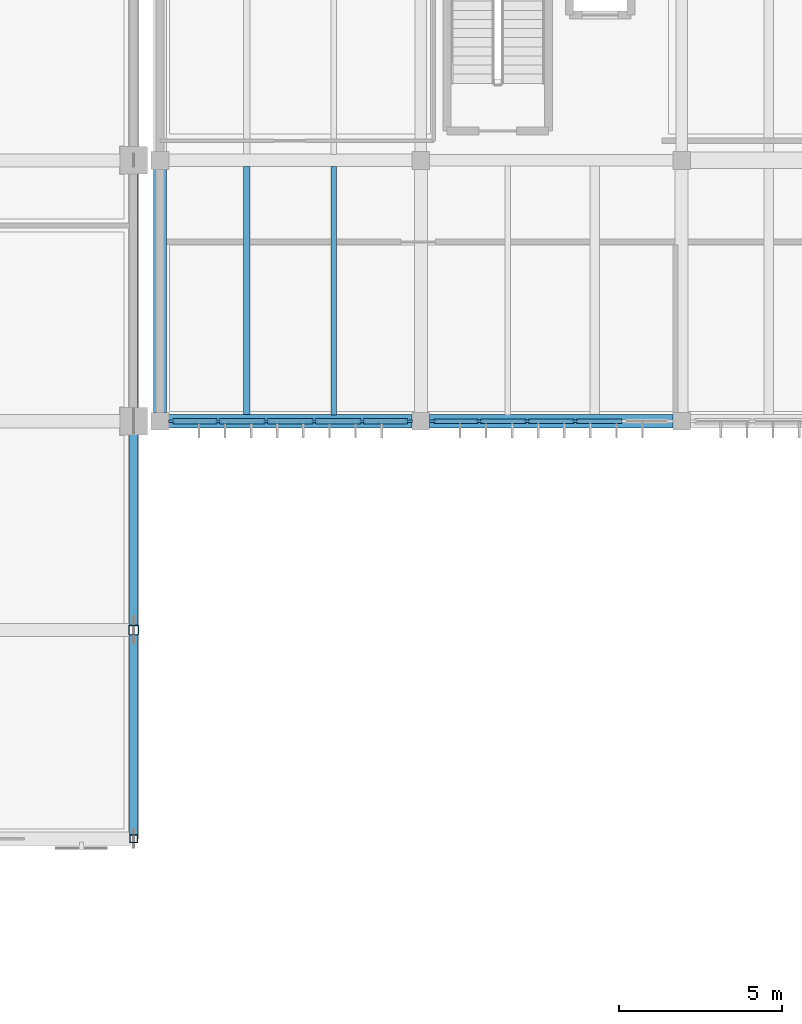
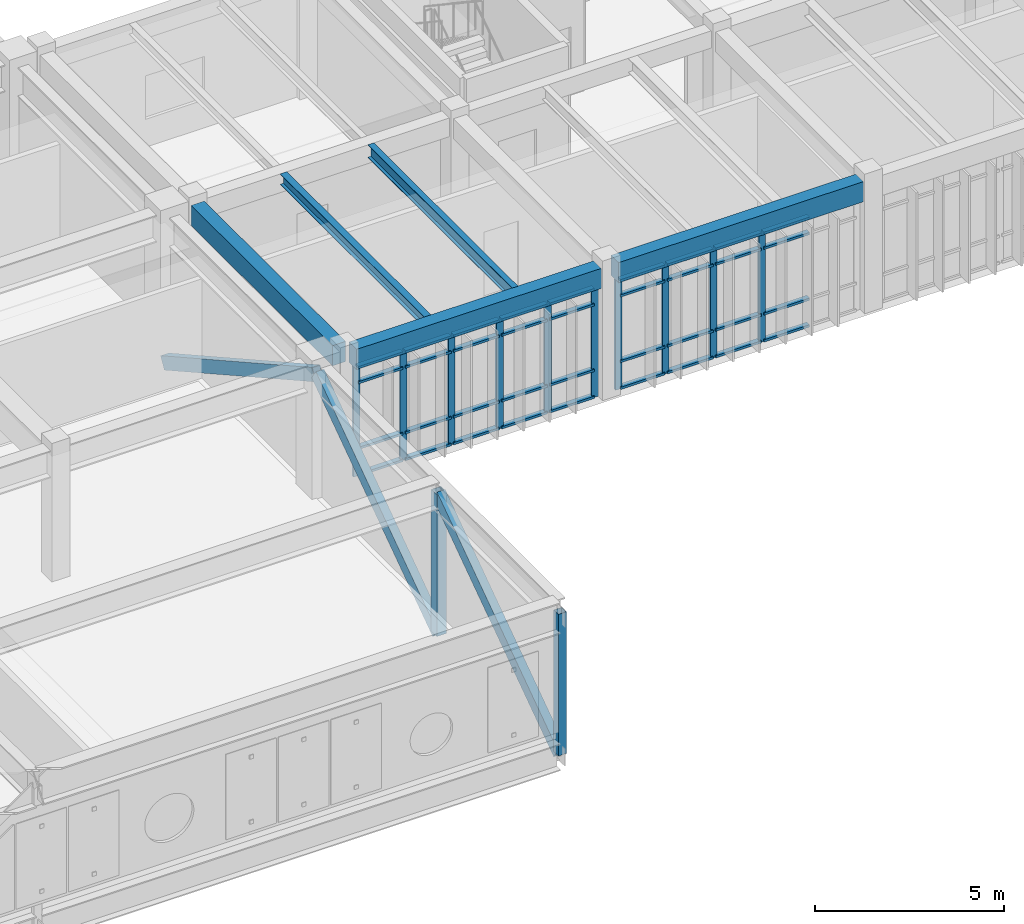
# One storey, part 14 of 79: 51 members, 5 beams, 2 elements without a shape of their own.
"""IFC4 building model written with IfcOpenShell, lengths in metres."""

import ifcopenshell
import ifcopenshell.guid

model = None  # the IFC model being written
_history = None  # IfcOwnerHistory: only IFC2X3 demands one
_inside = {}  # id of a spatial element -> (the spatial element, [elements in it])
_under = {}  # id of a project, library or spatial element -> (it, [spatial elements below it])
_declared = {}  # id of a project -> (the project, [libraries it declares])
_typed = {}  # id of a type object -> (the type object, [elements of that type])
_made_of = {}  # id of a material, layer set ... -> (it, [elements and type objects made of it])


def new_model(schema):
    """Start an empty IFC model of exactly this schema.

    Asked for "IFC4X3", IfcOpenShell would pick the latest addendum, in which some entities
    have other attributes; the version numbers below select the first issue.
    IFC2X3 requires an IfcOwnerHistory on every rooted entity: one is made here for all.
    """
    global model, _history
    if schema == "IFC4X3":
        model = ifcopenshell.file(schema_version=(4, 3, 0, 0))
    else:
        model = ifcopenshell.file(schema=schema)
    _inside.clear()
    _under.clear()
    _declared.clear()
    _typed.clear()
    _made_of.clear()
    _history = None
    if model.schema == "IFC2X3":
        org = make("IfcOrganization", Name="unknown")
        user = make(
            "IfcPersonAndOrganization",
            ThePerson=make("IfcPerson", FamilyName="unknown"),
            TheOrganization=org,
        )
        app = make(
            "IfcApplication",
            ApplicationDeveloper=org,
            Version="unknown",
            ApplicationFullName="unknown",
            ApplicationIdentifier="unknown",
        )
        _history = make(
            "IfcOwnerHistory",
            OwningUser=user,
            OwningApplication=app,
            ChangeAction="ADDED",
            CreationDate=0,
        )
    return model


def make(cls, **values):
    """One entity of the class cls with the attributes given. An attribute that is None is left unset."""
    return model.create_entity(
        cls, **{name: value for name, value in values.items() if value is not None}
    )


def rooted(cls, **values):
    """An entity with a GlobalId (a new one), such as an element, a storey or a relation."""
    return make(cls, GlobalId=ifcopenshell.guid.new(), OwnerHistory=_history, **values)


def si_unit(unit_type, name, prefix=None):
    """IfcSIUnit, for example si_unit("LENGTHUNIT", "METRE", prefix="MILLI")."""
    return make("IfcSIUnit", UnitType=unit_type, Prefix=prefix, Name=name)


def assignment(units):
    """IfcUnitAssignment: the units of a project."""
    return None if units is None else make("IfcUnitAssignment", Units=units)


def point(xyz):
    """IfcCartesianPoint."""
    return None if xyz is None else make("IfcCartesianPoint", Coordinates=xyz)


def direction(xyz):
    """IfcDirection."""
    return None if xyz is None else make("IfcDirection", DirectionRatios=xyz)


def frame(location, z_axis=None, x_axis=None):
    """IfcAxis2Placement3D, a coordinate frame: its origin and axes. An axis left out is left unset."""
    return make(
        "IfcAxis2Placement3D",
        Location=point(location),
        Axis=direction(z_axis),
        RefDirection=direction(x_axis),
    )


def frame_2d(location, x_axis=None):
    """IfcAxis2Placement2D, a coordinate frame in the plane: its origin and x axis."""
    return make(
        "IfcAxis2Placement2D", Location=point(location), RefDirection=direction(x_axis)
    )


def origin():
    """The frame at (0, 0, 0) with its axes left unset."""
    return frame((0.0, 0.0, 0.0))


def origin_2d():
    """The frame at (0, 0) in the plane with its x axis left unset."""
    return frame_2d((0.0, 0.0))


def place(relative_to, where):
    """IfcLocalPlacement: puts the frame where relative to a parent placement (None: the world)."""
    return make(
        "IfcLocalPlacement", PlacementRelTo=relative_to, RelativePlacement=where
    )


def context(
    kind, dimensions, precision=None, world=None, true_north=None, identifier=None
):
    """IfcGeometricRepresentationContext, for example the 3D "Model" context."""
    return make(
        "IfcGeometricRepresentationContext",
        ContextIdentifier=identifier,
        ContextType=kind,
        CoordinateSpaceDimension=dimensions,
        Precision=precision,
        WorldCoordinateSystem=world,
        TrueNorth=true_north,
    )


def subcontext(parent, identifier, kind, view, scale=None):
    """IfcGeometricRepresentationSubContext, for example "Body" below "Model"."""
    return make(
        "IfcGeometricRepresentationSubContext",
        ContextIdentifier=identifier,
        ContextType=kind,
        ParentContext=parent,
        TargetScale=scale,
        TargetView=view,
    )


def project(units=None, contexts=None):
    """IfcProject with its units and contexts."""
    return rooted(
        "IfcProject",
        Name="project",
        RepresentationContexts=contexts,
        UnitsInContext=assignment(units),
    )


def spatial(cls, under=None, at=None, **own):
    """A site, building, storey or space (cls), placed at a placement, below another one or the project."""
    s = rooted(cls, ObjectPlacement=at, **own)
    if under is not None:
        _under.setdefault(under.id(), (under, []))[1].append(s)
    return s


def profile(cls, at=None, kind="AREA", **sizes):
    """A parametric profile (cls). Its sizes go by their IFC names, for example OverallWidth=200.0."""
    return make(cls, ProfileType=kind, Position=at, **sizes)


def rectangle(**sizes):
    """IfcRectangleProfileDef."""
    return profile("IfcRectangleProfileDef", **sizes)


def hollow_rectangle(**sizes):
    """IfcRectangleHollowProfileDef."""
    return profile("IfcRectangleHollowProfileDef", **sizes)


def i_section(**sizes):
    """IfcIShapeProfileDef."""
    return profile("IfcIShapeProfileDef", **sizes)


def extrude(swept, where, along, depth):
    """IfcExtrudedAreaSolid: the profile swept, set in the frame where, extruded along a direction by depth."""
    return make(
        "IfcExtrudedAreaSolid",
        SweptArea=swept,
        Position=where,
        ExtrudedDirection=direction(along),
        Depth=depth,
    )


def shape(context_of_items, identifier, shape_type, items):
    """IfcShapeRepresentation: the items that make up one representation, for example the "Body"."""
    return make(
        "IfcShapeRepresentation",
        ContextOfItems=context_of_items,
        RepresentationIdentifier=identifier,
        RepresentationType=shape_type,
        Items=items,
    )


def material(Name=None, Category=None):
    """IfcMaterial."""
    return make("IfcMaterial", Name=Name, Category=Category)


def material_profile(
    of_material, cross_section, Name=None, Category=None, Priority=None
):
    """IfcMaterialProfile: a cross section and its material."""
    return make(
        "IfcMaterialProfile",
        Name=Name,
        Material=of_material,
        Profile=cross_section,
        Priority=Priority,
        Category=Category,
    )


def profile_set(profiles, Name=None, composite=None):
    """IfcMaterialProfileSet."""
    return make(
        "IfcMaterialProfileSet",
        Name=Name,
        MaterialProfiles=profiles,
        CompositeProfile=composite,
    )


def made_of(thing, what):
    """Note that an element or type object is made of a material, layer set ...; save() writes the relation."""
    if what is not None:
        _made_of.setdefault(what.id(), (what, []))[1].append(thing)
    return thing


def type_object(cls, material=None, **own):
    """A type object (cls), such as IfcWallType, which elements share."""
    return made_of(rooted(cls, **own), material)


def element(
    cls,
    number,
    at=None,
    inside=None,
    cuts=None,
    type_object=None,
    material=None,
    context=None,
    identifier="Body",
    shape_type=None,
    held_by="IfcProductDefinitionShape",
    body=None,
    shapes=None,
    **own,
):
    """One element of the class cls, such as IfcWall. Its Tag is "e" and its number.

    at: its placement. inside: the storey or other place that contains it. cuts: it is an
    opening in that element (IfcRelVoidsElement). A single representation is given by context,
    identifier, shape_type and body (its items); several are given by shapes. held_by: the class
    of the entity that holds the representations. save() writes the other relations.
    """
    e = rooted(cls, Tag="e%d" % number, ObjectPlacement=at, **own)
    if body is not None:
        shapes = [shape(context, identifier, shape_type, body)]
    if shapes is not None:
        e.Representation = make(held_by, Representations=shapes)
    if inside is not None:
        _inside.setdefault(inside.id(), (inside, []))[1].append(e)
    if cuts is not None:
        rooted(
            "IfcRelVoidsElement", RelatingBuildingElement=cuts, RelatedOpeningElement=e
        )
    if type_object is not None:
        _typed.setdefault(type_object.id(), (type_object, []))[1].append(e)
    return made_of(e, material)


def aggregate(whole, parts):
    """IfcRelAggregates: a whole, such as a stair, and the parts it consists of."""
    return rooted("IfcRelAggregates", RelatingObject=whole, RelatedObjects=parts)


def save(model, path):
    """Write the relations noted so far, then the file.

    IfcRelAggregates (storeys below a building ...), IfcRelContainedInSpatialStructure (elements
    in a storey), IfcRelDefinesByType, IfcRelAssociatesMaterial and IfcRelDeclares: one each for
    every whole, place, type object, material and project.
    """
    for whole, parts in _under.values():
        aggregate(whole, parts)
    for where, things in _inside.values():
        rooted(
            "IfcRelContainedInSpatialStructure",
            RelatedElements=things,
            RelatingStructure=where,
        )
    for kind, things in _typed.values():
        rooted("IfcRelDefinesByType", RelatedObjects=things, RelatingType=kind)
    for what, things in _made_of.values():
        rooted("IfcRelAssociatesMaterial", RelatedObjects=things, RelatingMaterial=what)
    for by, libraries in _declared.values():
        rooted("IfcRelDeclares", RelatingContext=by, RelatedDefinitions=libraries)
    model.write(path)


model = new_model("IFC4")

# Units and contexts
model_context = context("Model", 3, precision=1e-05, world=origin(), true_north=direction((0.0, 1.0)))
body_context = subcontext(model_context, "Body", "Model", "MODEL_VIEW")
ifc_project = project(units=[si_unit("LENGTHUNIT", "METRE"), si_unit("AREAUNIT", "SQUARE_METRE"), si_unit("VOLUMEUNIT", "CUBIC_METRE"), si_unit("PLANEANGLEUNIT", "RADIAN"), si_unit("MASSUNIT", "GRAM", prefix="KILO")], contexts=[model_context])

# Site, building, storey
site_placement = place(None, origin())
site = spatial("IfcSite", under=ifc_project, at=site_placement, CompositionType="ELEMENT")
building_placement = place(site_placement, origin())
building = spatial("IfcBuilding", under=site, at=building_placement, Name="Tlaxcora Railside Police Headquarters", CompositionType="ELEMENT")
storey_placement = place(building_placement, frame((0.0, 0.0, 9.0)))
storey = spatial("IfcBuildingStorey", under=building, at=storey_placement, Name="L02", CompositionType="ELEMENT", Elevation=9.0)

# Curtain wall, members
ifc_material_1 = material(Name="Thermally broken low-E insulated glazing", Category="glass")
curtain_wall_type_1 = type_object("IfcCurtainWallType", Name="Unitised Curtain Wall Assembly CW-38", PredefinedType="NOTDEFINED", material=ifc_material_1)
curtain_wall_1_placement = place(storey_placement, origin())
curtain_wall_1 = element("IfcCurtainWall", 1, at=curtain_wall_1_placement, inside=storey, type_object=curtain_wall_type_1, Name="V7 L02 curtain wall 177", PredefinedType="NOTDEFINED")
ifc_material_2 = material(Name="Anodised aluminium framing", Category="aluminium")
ifc_material_profile_1 = material_profile(ifc_material_2, rectangle(XDim=0.074951171875, YDim=0.205078125, at=origin_2d()), Name="AL75X205")
ifc_profile_set_1 = profile_set([ifc_material_profile_1], Name="Anodised aluminium framing")
member_type_1 = type_object("IfcMemberType", Name="Curtain Wall Mullion CW-32", PredefinedType="MULLION", material=ifc_profile_set_1)
member_1_placement = place(storey_placement, frame((103.16259765625, 36.0, 0.0), z_axis=(0.0, 0.0, 1.0), x_axis=(0.0, 1.0, 0.0)))
member_1 = element("IfcMember", 2, at=member_1_placement, type_object=member_type_1, Name="CW mullion 1", PredefinedType="MULLION", context=body_context, shape_type="SweptSolid", body=[
    extrude(rectangle(XDim=0.074951171875, YDim=0.205078125, at=origin_2d()), origin(), (0.0, 0.0, 1.0), 3.550048828125),
])
member_2_placement = place(storey_placement, frame((104.594970703125, 36.0, 0.0), z_axis=(0.0, 0.0, 1.0), x_axis=(0.0, 1.0, 0.0)))
member_2 = element("IfcMember", 3, at=member_2_placement, type_object=member_type_1, Name="CW mullion 2", PredefinedType="MULLION", context=body_context, shape_type="SweptSolid", body=[
    extrude(rectangle(XDim=0.074951171875, YDim=0.205078125, at=origin_2d()), origin(), (0.0, 0.0, 1.0), 3.550048828125),
])
member_3_placement = place(storey_placement, frame((106.06494140625, 36.0, 0.0), z_axis=(0.0, 0.0, 1.0), x_axis=(0.0, 1.0, 0.0)))
member_3 = element("IfcMember", 4, at=member_3_placement, type_object=member_type_1, Name="CW mullion 3", PredefinedType="MULLION", context=body_context, shape_type="SweptSolid", body=[
    extrude(rectangle(XDim=0.074951171875, YDim=0.205078125, at=origin_2d()), origin(), (0.0, 0.0, 1.0), 3.550048828125),
])
member_4_placement = place(storey_placement, frame((107.534912109375, 36.0, 0.0), z_axis=(0.0, 0.0, 1.0), x_axis=(0.0, 1.0, 0.0)))
member_4 = element("IfcMember", 5, at=member_4_placement, type_object=member_type_1, Name="CW mullion 4", PredefinedType="MULLION", context=body_context, shape_type="SweptSolid", body=[
    extrude(rectangle(XDim=0.074951171875, YDim=0.205078125, at=origin_2d()), origin(), (0.0, 0.0, 1.0), 3.550048828125),
])
member_5_placement = place(storey_placement, frame((109.0048828125, 36.0, 0.0), z_axis=(0.0, 0.0, 1.0), x_axis=(0.0, 1.0, 0.0)))
member_5 = element("IfcMember", 6, at=member_5_placement, type_object=member_type_1, Name="CW mullion 5", PredefinedType="MULLION", context=body_context, shape_type="SweptSolid", body=[
    extrude(rectangle(XDim=0.074951171875, YDim=0.205078125, at=origin_2d()), origin(), (0.0, 0.0, 1.0), 3.550048828125),
])
member_6_placement = place(storey_placement, frame((110.4375, 36.0, 0.0), z_axis=(0.0, 0.0, 1.0), x_axis=(0.0, 1.0, 0.0)))
member_6 = element("IfcMember", 7, at=member_6_placement, type_object=member_type_1, Name="CW mullion 6", PredefinedType="MULLION", context=body_context, shape_type="SweptSolid", body=[
    extrude(rectangle(XDim=0.074951171875, YDim=0.205078125, at=origin_2d()), origin(), (0.0, 0.0, 1.0), 3.550048828125),
])

curtain_wall_type_2 = type_object("IfcCurtainWallType", Name="Unitised Curtain Wall Assembly CW-15", PredefinedType="NOTDEFINED", material=ifc_material_1)
curtain_wall_2_placement = place(storey_placement, origin())
curtain_wall_2 = element("IfcCurtainWall", 8, at=curtain_wall_2_placement, inside=storey, type_object=curtain_wall_type_2, Name="V7 L02 curtain wall 178", PredefinedType="NOTDEFINED")
ifc_material_profile_2 = material_profile(ifc_material_2, rectangle(XDim=0.074951171875, YDim=0.199951171875, at=origin_2d()), Name="AL75X200")
ifc_profile_set_2 = profile_set([ifc_material_profile_2], Name="Anodised aluminium framing")
member_type_2 = type_object("IfcMemberType", Name="Curtain Wall Mullion CW-58", PredefinedType="MULLION", material=ifc_profile_set_2)
member_7_placement = place(storey_placement, frame((111.16259765625, 36.0, 0.0), z_axis=(0.0, 0.0, 1.0), x_axis=(0.0, 1.0, 0.0)))
member_7 = element("IfcMember", 9, at=member_7_placement, type_object=member_type_2, Name="CW mullion 1", PredefinedType="MULLION", context=body_context, shape_type="SweptSolid", body=[
    extrude(rectangle(XDim=0.074951171875, YDim=0.199951171875, at=origin_2d()), origin(), (0.0, 0.0, 1.0), 3.550048828125),
])
member_8_placement = place(storey_placement, frame((112.594970703125, 36.0, 0.0), z_axis=(0.0, 0.0, 1.0), x_axis=(0.0, 1.0, 0.0)))
member_8 = element("IfcMember", 10, at=member_8_placement, type_object=member_type_2, Name="CW mullion 2", PredefinedType="MULLION", context=body_context, shape_type="SweptSolid", body=[
    extrude(rectangle(XDim=0.074951171875, YDim=0.199951171875, at=origin_2d()), origin(), (0.0, 0.0, 1.0), 3.550048828125),
])
member_9_placement = place(storey_placement, frame((114.06494140625, 36.0, 0.0), z_axis=(0.0, 0.0, 1.0), x_axis=(0.0, 1.0, 0.0)))
member_9 = element("IfcMember", 11, at=member_9_placement, type_object=member_type_2, Name="CW mullion 3", PredefinedType="MULLION", context=body_context, shape_type="SweptSolid", body=[
    extrude(rectangle(XDim=0.074951171875, YDim=0.199951171875, at=origin_2d()), origin(), (0.0, 0.0, 1.0), 3.550048828125),
])
member_10_placement = place(storey_placement, frame((115.534912109375, 36.0, 0.0), z_axis=(0.0, 0.0, 1.0), x_axis=(0.0, 1.0, 0.0)))
member_10 = element("IfcMember", 12, at=member_10_placement, type_object=member_type_2, Name="CW mullion 4", PredefinedType="MULLION", context=body_context, shape_type="SweptSolid", body=[
    extrude(rectangle(XDim=0.074951171875, YDim=0.199951171875, at=origin_2d()), origin(), (0.0, 0.0, 1.0), 3.550048828125),
])
ifc_material_profile_3 = material_profile(ifc_material_2, rectangle(XDim=0.14990234375, YDim=0.074951171875, at=origin_2d()), Name="AL75X150")
ifc_profile_set_3 = profile_set([ifc_material_profile_3], Name="Anodised aluminium framing")
member_type_3 = type_object("IfcMemberType", Name="Curtain Wall Transom CW-28", PredefinedType="USERDEFINED", material=ifc_profile_set_3)
member_11_placement = place(storey_placement, frame((111.199951171875, 36.0, 0.03759765625), z_axis=(1.0, 0.0, 0.0), x_axis=(0.0, 1.0, 0.0)))
member_11 = element("IfcMember", 13, at=member_11_placement, type_object=member_type_3, Name="CW transom 1.1", ObjectType="TRANSOM", PredefinedType="USERDEFINED", context=body_context, shape_type="SweptSolid", body=[
    extrude(rectangle(XDim=0.14990234375, YDim=0.074951171875, at=origin_2d()), origin(), (0.0, 0.0, 1.0), 1.357666015625),
])
member_12_placement = place(storey_placement, frame((111.199951171875, 36.0, 0.89990234375), z_axis=(1.0, 0.0, 0.0), x_axis=(0.0, 1.0, 0.0)))
member_12 = element("IfcMember", 14, at=member_12_placement, type_object=member_type_3, Name="CW transom 1.2", ObjectType="TRANSOM", PredefinedType="USERDEFINED", context=body_context, shape_type="SweptSolid", body=[
    extrude(rectangle(XDim=0.14990234375, YDim=0.074951171875, at=origin_2d()), origin(), (0.0, 0.0, 1.0), 1.357666015625),
])
member_13_placement = place(storey_placement, frame((111.199951171875, 36.0, 3.02001953125), z_axis=(1.0, 0.0, 0.0), x_axis=(0.0, 1.0, 0.0)))
member_13 = element("IfcMember", 15, at=member_13_placement, type_object=member_type_3, Name="CW transom 1.3", ObjectType="TRANSOM", PredefinedType="USERDEFINED", context=body_context, shape_type="SweptSolid", body=[
    extrude(rectangle(XDim=0.14990234375, YDim=0.074951171875, at=origin_2d()), origin(), (0.0, 0.0, 1.0), 1.357666015625),
])
member_14_placement = place(storey_placement, frame((111.199951171875, 36.0, 3.512451171875), z_axis=(1.0, 0.0, 0.0), x_axis=(0.0, 1.0, 0.0)))
member_14 = element("IfcMember", 16, at=member_14_placement, type_object=member_type_3, Name="CW transom 1.4", ObjectType="TRANSOM", PredefinedType="USERDEFINED", context=body_context, shape_type="SweptSolid", body=[
    extrude(rectangle(XDim=0.14990234375, YDim=0.074951171875, at=origin_2d()), origin(), (0.0, 0.0, 1.0), 1.357666015625),
])
member_15_placement = place(storey_placement, frame((112.632568359375, 36.0, 0.03759765625), z_axis=(1.0, 0.0, 0.0), x_axis=(0.0, 1.0, 0.0)))
member_15 = element("IfcMember", 17, at=member_15_placement, type_object=member_type_3, Name="CW transom 2.1", ObjectType="TRANSOM", PredefinedType="USERDEFINED", context=body_context, shape_type="SweptSolid", body=[
    extrude(rectangle(XDim=0.14990234375, YDim=0.074951171875, at=origin_2d()), origin(), (0.0, 0.0, 1.0), 1.39501953125),
])
member_16_placement = place(storey_placement, frame((112.632568359375, 36.0, 0.89990234375), z_axis=(1.0, 0.0, 0.0), x_axis=(0.0, 1.0, 0.0)))
member_16 = element("IfcMember", 18, at=member_16_placement, type_object=member_type_3, Name="CW transom 2.2", ObjectType="TRANSOM", PredefinedType="USERDEFINED", context=body_context, shape_type="SweptSolid", body=[
    extrude(rectangle(XDim=0.14990234375, YDim=0.074951171875, at=origin_2d()), origin(), (0.0, 0.0, 1.0), 1.39501953125),
])
member_17_placement = place(storey_placement, frame((112.632568359375, 36.0, 3.02001953125), z_axis=(1.0, 0.0, 0.0), x_axis=(0.0, 1.0, 0.0)))
member_17 = element("IfcMember", 19, at=member_17_placement, type_object=member_type_3, Name="CW transom 2.3", ObjectType="TRANSOM", PredefinedType="USERDEFINED", context=body_context, shape_type="SweptSolid", body=[
    extrude(rectangle(XDim=0.14990234375, YDim=0.074951171875, at=origin_2d()), origin(), (0.0, 0.0, 1.0), 1.39501953125),
])
member_18_placement = place(storey_placement, frame((112.632568359375, 36.0, 3.512451171875), z_axis=(1.0, 0.0, 0.0), x_axis=(0.0, 1.0, 0.0)))
member_18 = element("IfcMember", 20, at=member_18_placement, type_object=member_type_3, Name="CW transom 2.4", ObjectType="TRANSOM", PredefinedType="USERDEFINED", context=body_context, shape_type="SweptSolid", body=[
    extrude(rectangle(XDim=0.14990234375, YDim=0.074951171875, at=origin_2d()), origin(), (0.0, 0.0, 1.0), 1.39501953125),
])
member_19_placement = place(storey_placement, frame((114.1025390625, 36.0, 0.03759765625), z_axis=(1.0, 0.0, 0.0), x_axis=(0.0, 1.0, 0.0)))
member_19 = element("IfcMember", 21, at=member_19_placement, type_object=member_type_3, Name="CW transom 3.1", ObjectType="TRANSOM", PredefinedType="USERDEFINED", context=body_context, shape_type="SweptSolid", body=[
    extrude(rectangle(XDim=0.14990234375, YDim=0.074951171875, at=origin_2d()), origin(), (0.0, 0.0, 1.0), 1.39501953125),
])
member_20_placement = place(storey_placement, frame((114.1025390625, 36.0, 0.89990234375), z_axis=(1.0, 0.0, 0.0), x_axis=(0.0, 1.0, 0.0)))
member_20 = element("IfcMember", 22, at=member_20_placement, type_object=member_type_3, Name="CW transom 3.2", ObjectType="TRANSOM", PredefinedType="USERDEFINED", context=body_context, shape_type="SweptSolid", body=[
    extrude(rectangle(XDim=0.14990234375, YDim=0.074951171875, at=origin_2d()), origin(), (0.0, 0.0, 1.0), 1.39501953125),
])
member_21_placement = place(storey_placement, frame((114.1025390625, 36.0, 3.02001953125), z_axis=(1.0, 0.0, 0.0), x_axis=(0.0, 1.0, 0.0)))
member_21 = element("IfcMember", 23, at=member_21_placement, type_object=member_type_3, Name="CW transom 3.3", ObjectType="TRANSOM", PredefinedType="USERDEFINED", context=body_context, shape_type="SweptSolid", body=[
    extrude(rectangle(XDim=0.14990234375, YDim=0.074951171875, at=origin_2d()), origin(), (0.0, 0.0, 1.0), 1.39501953125),
])
member_22_placement = place(storey_placement, frame((114.1025390625, 36.0, 3.512451171875), z_axis=(1.0, 0.0, 0.0), x_axis=(0.0, 1.0, 0.0)))
member_22 = element("IfcMember", 24, at=member_22_placement, type_object=member_type_3, Name="CW transom 3.4", ObjectType="TRANSOM", PredefinedType="USERDEFINED", context=body_context, shape_type="SweptSolid", body=[
    extrude(rectangle(XDim=0.14990234375, YDim=0.074951171875, at=origin_2d()), origin(), (0.0, 0.0, 1.0), 1.39501953125),
])
member_23_placement = place(storey_placement, frame((115.572509765625, 36.0, 0.03759765625), z_axis=(1.0, 0.0, 0.0), x_axis=(0.0, 1.0, 0.0)))
member_23 = element("IfcMember", 25, at=member_23_placement, type_object=member_type_3, Name="CW transom 4.1", ObjectType="TRANSOM", PredefinedType="USERDEFINED", context=body_context, shape_type="SweptSolid", body=[
    extrude(rectangle(XDim=0.14990234375, YDim=0.074951171875, at=origin_2d()), origin(), (0.0, 0.0, 1.0), 1.39501953125),
])
member_24_placement = place(storey_placement, frame((115.572509765625, 36.0, 0.89990234375), z_axis=(1.0, 0.0, 0.0), x_axis=(0.0, 1.0, 0.0)))
member_24 = element("IfcMember", 26, at=member_24_placement, type_object=member_type_3, Name="CW transom 4.2", ObjectType="TRANSOM", PredefinedType="USERDEFINED", context=body_context, shape_type="SweptSolid", body=[
    extrude(rectangle(XDim=0.14990234375, YDim=0.074951171875, at=origin_2d()), origin(), (0.0, 0.0, 1.0), 1.39501953125),
])
member_25_placement = place(storey_placement, frame((115.572509765625, 36.0, 3.02001953125), z_axis=(1.0, 0.0, 0.0), x_axis=(0.0, 1.0, 0.0)))
member_25 = element("IfcMember", 27, at=member_25_placement, type_object=member_type_3, Name="CW transom 4.3", ObjectType="TRANSOM", PredefinedType="USERDEFINED", context=body_context, shape_type="SweptSolid", body=[
    extrude(rectangle(XDim=0.14990234375, YDim=0.074951171875, at=origin_2d()), origin(), (0.0, 0.0, 1.0), 1.39501953125),
])
member_26_placement = place(storey_placement, frame((115.572509765625, 36.0, 3.512451171875), z_axis=(1.0, 0.0, 0.0), x_axis=(0.0, 1.0, 0.0)))
member_26 = element("IfcMember", 28, at=member_26_placement, type_object=member_type_3, Name="CW transom 4.4", ObjectType="TRANSOM", PredefinedType="USERDEFINED", context=body_context, shape_type="SweptSolid", body=[
    extrude(rectangle(XDim=0.14990234375, YDim=0.074951171875, at=origin_2d()), origin(), (0.0, 0.0, 1.0), 1.39501953125),
])
aggregate(curtain_wall_2, [member_7, member_8, member_9, member_10, member_11, member_12, member_13, member_14, member_15, member_16, member_17, member_18, member_19, member_20, member_21, member_22, member_23, member_24, member_25, member_26])

# Member
ifc_material_profile_4 = material_profile(ifc_material_2, rectangle(XDim=0.155029296875, YDim=0.074951171875, at=origin_2d()), Name="AL75X155")
ifc_profile_set_4 = profile_set([ifc_material_profile_4], Name="Anodised aluminium framing")
member_type_4 = type_object("IfcMemberType", Name="Curtain Wall Transom CW-30", PredefinedType="USERDEFINED", material=ifc_profile_set_4)
member_27_placement = place(storey_placement, frame((103.199951171875, 36.0, 0.03759765625), z_axis=(1.0, 0.0, 0.0), x_axis=(0.0, 1.0, 0.0)))
member_27 = element("IfcMember", 29, at=member_27_placement, type_object=member_type_4, Name="CW transom 1.1", ObjectType="TRANSOM", PredefinedType="USERDEFINED", context=body_context, shape_type="SweptSolid", body=[
    extrude(rectangle(XDim=0.155029296875, YDim=0.074951171875, at=origin_2d()), origin(), (0.0, 0.0, 1.0), 1.357666015625),
])

member_28_placement = place(storey_placement, frame((103.199951171875, 36.0, 0.89990234375), z_axis=(1.0, 0.0, 0.0), x_axis=(0.0, 1.0, 0.0)))
member_28 = element("IfcMember", 30, at=member_28_placement, type_object=member_type_4, Name="CW transom 1.2", ObjectType="TRANSOM", PredefinedType="USERDEFINED", context=body_context, shape_type="SweptSolid", body=[
    extrude(rectangle(XDim=0.155029296875, YDim=0.074951171875, at=origin_2d()), origin(), (0.0, 0.0, 1.0), 1.357666015625),
])

member_29_placement = place(storey_placement, frame((103.199951171875, 36.0, 3.02001953125), z_axis=(1.0, 0.0, 0.0), x_axis=(0.0, 1.0, 0.0)))
member_29 = element("IfcMember", 31, at=member_29_placement, type_object=member_type_4, Name="CW transom 1.3", ObjectType="TRANSOM", PredefinedType="USERDEFINED", context=body_context, shape_type="SweptSolid", body=[
    extrude(rectangle(XDim=0.155029296875, YDim=0.074951171875, at=origin_2d()), origin(), (0.0, 0.0, 1.0), 1.357666015625),
])

member_30_placement = place(storey_placement, frame((103.199951171875, 36.0, 3.512451171875), z_axis=(1.0, 0.0, 0.0), x_axis=(0.0, 1.0, 0.0)))
member_30 = element("IfcMember", 32, at=member_30_placement, type_object=member_type_4, Name="CW transom 1.4", ObjectType="TRANSOM", PredefinedType="USERDEFINED", context=body_context, shape_type="SweptSolid", body=[
    extrude(rectangle(XDim=0.155029296875, YDim=0.074951171875, at=origin_2d()), origin(), (0.0, 0.0, 1.0), 1.357666015625),
])

member_31_placement = place(storey_placement, frame((104.632568359375, 36.0, 0.03759765625), z_axis=(1.0, 0.0, 0.0), x_axis=(0.0, 1.0, 0.0)))
member_31 = element("IfcMember", 33, at=member_31_placement, type_object=member_type_4, Name="CW transom 2.1", ObjectType="TRANSOM", PredefinedType="USERDEFINED", context=body_context, shape_type="SweptSolid", body=[
    extrude(rectangle(XDim=0.155029296875, YDim=0.074951171875, at=origin_2d()), origin(), (0.0, 0.0, 1.0), 1.39501953125),
])

member_32_placement = place(storey_placement, frame((104.632568359375, 36.0, 0.89990234375), z_axis=(1.0, 0.0, 0.0), x_axis=(0.0, 1.0, 0.0)))
member_32 = element("IfcMember", 34, at=member_32_placement, type_object=member_type_4, Name="CW transom 2.2", ObjectType="TRANSOM", PredefinedType="USERDEFINED", context=body_context, shape_type="SweptSolid", body=[
    extrude(rectangle(XDim=0.155029296875, YDim=0.074951171875, at=origin_2d()), origin(), (0.0, 0.0, 1.0), 1.39501953125),
])

member_33_placement = place(storey_placement, frame((104.632568359375, 36.0, 3.02001953125), z_axis=(1.0, 0.0, 0.0), x_axis=(0.0, 1.0, 0.0)))
member_33 = element("IfcMember", 35, at=member_33_placement, type_object=member_type_4, Name="CW transom 2.3", ObjectType="TRANSOM", PredefinedType="USERDEFINED", context=body_context, shape_type="SweptSolid", body=[
    extrude(rectangle(XDim=0.155029296875, YDim=0.074951171875, at=origin_2d()), origin(), (0.0, 0.0, 1.0), 1.39501953125),
])

member_34_placement = place(storey_placement, frame((104.632568359375, 36.0, 3.512451171875), z_axis=(1.0, 0.0, 0.0), x_axis=(0.0, 1.0, 0.0)))
member_34 = element("IfcMember", 36, at=member_34_placement, type_object=member_type_4, Name="CW transom 2.4", ObjectType="TRANSOM", PredefinedType="USERDEFINED", context=body_context, shape_type="SweptSolid", body=[
    extrude(rectangle(XDim=0.155029296875, YDim=0.074951171875, at=origin_2d()), origin(), (0.0, 0.0, 1.0), 1.39501953125),
])

member_35_placement = place(storey_placement, frame((106.1025390625, 36.0, 0.03759765625), z_axis=(1.0, 0.0, 0.0), x_axis=(0.0, 1.0, 0.0)))
member_35 = element("IfcMember", 37, at=member_35_placement, type_object=member_type_4, Name="CW transom 3.1", ObjectType="TRANSOM", PredefinedType="USERDEFINED", context=body_context, shape_type="SweptSolid", body=[
    extrude(rectangle(XDim=0.155029296875, YDim=0.074951171875, at=origin_2d()), origin(), (0.0, 0.0, 1.0), 1.39501953125),
])

member_36_placement = place(storey_placement, frame((106.1025390625, 36.0, 0.89990234375), z_axis=(1.0, 0.0, 0.0), x_axis=(0.0, 1.0, 0.0)))
member_36 = element("IfcMember", 38, at=member_36_placement, type_object=member_type_4, Name="CW transom 3.2", ObjectType="TRANSOM", PredefinedType="USERDEFINED", context=body_context, shape_type="SweptSolid", body=[
    extrude(rectangle(XDim=0.155029296875, YDim=0.074951171875, at=origin_2d()), origin(), (0.0, 0.0, 1.0), 1.39501953125),
])

member_37_placement = place(storey_placement, frame((106.1025390625, 36.0, 3.02001953125), z_axis=(1.0, 0.0, 0.0), x_axis=(0.0, 1.0, 0.0)))
member_37 = element("IfcMember", 39, at=member_37_placement, type_object=member_type_4, Name="CW transom 3.3", ObjectType="TRANSOM", PredefinedType="USERDEFINED", context=body_context, shape_type="SweptSolid", body=[
    extrude(rectangle(XDim=0.155029296875, YDim=0.074951171875, at=origin_2d()), origin(), (0.0, 0.0, 1.0), 1.39501953125),
])

member_38_placement = place(storey_placement, frame((106.1025390625, 36.0, 3.512451171875), z_axis=(1.0, 0.0, 0.0), x_axis=(0.0, 1.0, 0.0)))
member_38 = element("IfcMember", 40, at=member_38_placement, type_object=member_type_4, Name="CW transom 3.4", ObjectType="TRANSOM", PredefinedType="USERDEFINED", context=body_context, shape_type="SweptSolid", body=[
    extrude(rectangle(XDim=0.155029296875, YDim=0.074951171875, at=origin_2d()), origin(), (0.0, 0.0, 1.0), 1.39501953125),
])

member_39_placement = place(storey_placement, frame((107.572509765625, 36.0, 0.03759765625), z_axis=(1.0, 0.0, 0.0), x_axis=(0.0, 1.0, 0.0)))
member_39 = element("IfcMember", 41, at=member_39_placement, type_object=member_type_4, Name="CW transom 4.1", ObjectType="TRANSOM", PredefinedType="USERDEFINED", context=body_context, shape_type="SweptSolid", body=[
    extrude(rectangle(XDim=0.155029296875, YDim=0.074951171875, at=origin_2d()), origin(), (0.0, 0.0, 1.0), 1.39501953125),
])

member_40_placement = place(storey_placement, frame((107.572509765625, 36.0, 0.89990234375), z_axis=(1.0, 0.0, 0.0), x_axis=(0.0, 1.0, 0.0)))
member_40 = element("IfcMember", 42, at=member_40_placement, type_object=member_type_4, Name="CW transom 4.2", ObjectType="TRANSOM", PredefinedType="USERDEFINED", context=body_context, shape_type="SweptSolid", body=[
    extrude(rectangle(XDim=0.155029296875, YDim=0.074951171875, at=origin_2d()), origin(), (0.0, 0.0, 1.0), 1.39501953125),
])

member_41_placement = place(storey_placement, frame((107.572509765625, 36.0, 3.02001953125), z_axis=(1.0, 0.0, 0.0), x_axis=(0.0, 1.0, 0.0)))
member_41 = element("IfcMember", 43, at=member_41_placement, type_object=member_type_4, Name="CW transom 4.3", ObjectType="TRANSOM", PredefinedType="USERDEFINED", context=body_context, shape_type="SweptSolid", body=[
    extrude(rectangle(XDim=0.155029296875, YDim=0.074951171875, at=origin_2d()), origin(), (0.0, 0.0, 1.0), 1.39501953125),
])

member_42_placement = place(storey_placement, frame((107.572509765625, 36.0, 3.512451171875), z_axis=(1.0, 0.0, 0.0), x_axis=(0.0, 1.0, 0.0)))
member_42 = element("IfcMember", 44, at=member_42_placement, type_object=member_type_4, Name="CW transom 4.4", ObjectType="TRANSOM", PredefinedType="USERDEFINED", context=body_context, shape_type="SweptSolid", body=[
    extrude(rectangle(XDim=0.155029296875, YDim=0.074951171875, at=origin_2d()), origin(), (0.0, 0.0, 1.0), 1.39501953125),
])

member_43_placement = place(storey_placement, frame((109.04248046875, 36.0, 0.03759765625), z_axis=(1.0, 0.0, 0.0), x_axis=(0.0, 1.0, 0.0)))
member_43 = element("IfcMember", 45, at=member_43_placement, type_object=member_type_4, Name="CW transom 5.1", ObjectType="TRANSOM", PredefinedType="USERDEFINED", context=body_context, shape_type="SweptSolid", body=[
    extrude(rectangle(XDim=0.155029296875, YDim=0.074951171875, at=origin_2d()), origin(), (0.0, 0.0, 1.0), 1.357421875),
])

member_44_placement = place(storey_placement, frame((109.04248046875, 36.0, 0.89990234375), z_axis=(1.0, 0.0, 0.0), x_axis=(0.0, 1.0, 0.0)))
member_44 = element("IfcMember", 46, at=member_44_placement, type_object=member_type_4, Name="CW transom 5.2", ObjectType="TRANSOM", PredefinedType="USERDEFINED", context=body_context, shape_type="SweptSolid", body=[
    extrude(rectangle(XDim=0.155029296875, YDim=0.074951171875, at=origin_2d()), origin(), (0.0, 0.0, 1.0), 1.357421875),
])

member_45_placement = place(storey_placement, frame((109.04248046875, 36.0, 3.02001953125), z_axis=(1.0, 0.0, 0.0), x_axis=(0.0, 1.0, 0.0)))
member_45 = element("IfcMember", 47, at=member_45_placement, type_object=member_type_4, Name="CW transom 5.3", ObjectType="TRANSOM", PredefinedType="USERDEFINED", context=body_context, shape_type="SweptSolid", body=[
    extrude(rectangle(XDim=0.155029296875, YDim=0.074951171875, at=origin_2d()), origin(), (0.0, 0.0, 1.0), 1.357421875),
])

member_46_placement = place(storey_placement, frame((109.04248046875, 36.0, 3.512451171875), z_axis=(1.0, 0.0, 0.0), x_axis=(0.0, 1.0, 0.0)))
member_46 = element("IfcMember", 48, at=member_46_placement, type_object=member_type_4, Name="CW transom 5.4", ObjectType="TRANSOM", PredefinedType="USERDEFINED", context=body_context, shape_type="SweptSolid", body=[
    extrude(rectangle(XDim=0.155029296875, YDim=0.074951171875, at=origin_2d()), origin(), (0.0, 0.0, 1.0), 1.357421875),
])

aggregate(curtain_wall_1, [member_1, member_2, member_3, member_4, member_5, member_6, member_27, member_28, member_29, member_30, member_31, member_32, member_33, member_34, member_35, member_36, member_37, member_38, member_39, member_40, member_41, member_42, member_43, member_44, member_45, member_46])

# Members
ifc_material_3 = material(Name="Steel ASTM A992 Grade 50", Category="steel")
ifc_material_profile_5 = material_profile(ifc_material_3, hollow_rectangle(XDim=0.25, YDim=0.39990234375, WallThickness=0.011962890625, at=origin_2d()), Name="HSS400X250X12")
ifc_profile_set_5 = profile_set([ifc_material_profile_5], Name="Steel ASTM A992 Grade 50")
member_type_5 = type_object("IfcMemberType", Name="Diagonal Brace Member MB-40", PredefinedType="BRACE", material=ifc_profile_set_5)
member_47_placement = place(storey_placement, frame((102.0, 44.0, -0.77001953125), z_axis=(0.0, -0.872972176335, 0.487770006607), x_axis=(1.0, 0.0, 0.0)))
element("IfcMember", 49, at=member_47_placement, inside=storey, type_object=member_type_5, Name="Truss TR-4 L02 web diagonal 3", PredefinedType="BRACE", context=body_context, shape_type="SweptSolid", body=[
    extrude(hollow_rectangle(XDim=0.25, YDim=0.39990234375, WallThickness=0.011962890625, at=origin_2d()), origin(), (0.0, 0.0, 1.0), 9.1640625),
])
member_48_placement = place(storey_placement, frame((102.0, 36.0, 3.699951171875), z_axis=(0.0, -0.819830936688, -0.572605654224), x_axis=(1.0, 0.0, 0.0)))
element("IfcMember", 50, at=member_48_placement, inside=storey, type_object=member_type_5, Name="Truss TR-4 L02 web diagonal 4", PredefinedType="BRACE", context=body_context, shape_type="SweptSolid", body=[
    extrude(hollow_rectangle(XDim=0.25, YDim=0.39990234375, WallThickness=0.011962890625, at=origin_2d()), origin(), (0.0, 0.0, 1.0), 7.806396484375),
])
member_49_placement = place(storey_placement, frame((102.0, 29.60009765625, 3.699951171875), z_axis=(0.0, -0.819841190505, -0.572590972991), x_axis=(1.0, 0.0, 0.0)))
element("IfcMember", 51, at=member_49_placement, inside=storey, type_object=member_type_5, Name="Truss TR-4 L02 web diagonal 5", PredefinedType="BRACE", context=body_context, shape_type="SweptSolid", body=[
    extrude(hollow_rectangle(XDim=0.25, YDim=0.39990234375, WallThickness=0.011962890625, at=origin_2d()), origin(), (0.0, 0.0, 1.0), 7.806640625),
])

# Beams
ifc_material_4 = material(Name="Concrete C40/50", Category="concrete")
ifc_material_profile_6 = material_profile(ifc_material_4, rectangle(XDim=0.39990234375, YDim=0.64990234375, at=origin_2d()), Name="RC400X650")
ifc_profile_set_6 = profile_set([ifc_material_profile_6], Name="Concrete C40/50")
beam_type_1 = type_object("IfcBeamType", Name="Perimeter Spandrel Beam BM-46", PredefinedType="SPANDREL", material=ifc_profile_set_6)
for number, where, z_axis, x_axis, name in (
    (52, (103.06494140625, 36.0, 3.89501953125), (1.0, 0.0, 0.0), (0.0, 1.0, 0.0), "V7 L02 X-girder Y=36.0"),
    (53, (111.06494140625, 36.0, 3.89501953125), (1.0, 0.0, 0.0), (0.0, 1.0, 0.0), "V7 L02 X-girder Y=36.0"),
):
    element("IfcBeam", number, at=place(storey_placement, frame(where, z_axis=z_axis, x_axis=x_axis)), inside=storey, type_object=beam_type_1, Name=name, PredefinedType="SPANDREL", context=body_context, shape_type="SweptSolid", body=[
        extrude(rectangle(XDim=0.39990234375, YDim=0.64990234375, at=origin_2d()), origin(), (0.0, 0.0, 1.0), 7.469970703125),
    ])
beam_1_placement = place(storey_placement, frame((102.800048828125, 36.264892578125, 3.89501953125), z_axis=(0.0, 1.0, 0.0), x_axis=(-1.0, 0.0, 0.0)))
element("IfcBeam", 54, at=beam_1_placement, inside=storey, type_object=beam_type_1, Name="V7 L02 Y-girder X=102.8", PredefinedType="SPANDREL", context=body_context, shape_type="SweptSolid", body=[
    extrude(rectangle(XDim=0.39990234375, YDim=0.64990234375, at=origin_2d()), origin(), (0.0, 0.0, 1.0), 7.47021484375),
])
ifc_material_profile_7 = material_profile(ifc_material_3, i_section(OverallWidth=0.2041015625, OverallDepth=0.35009765625, WebThickness=0.008544921875, FlangeThickness=0.01513671875, at=origin_2d()), Name="W14X48")
ifc_profile_set_7 = profile_set([ifc_material_profile_7], Name="Steel ASTM A992 Grade 50")
beam_type_2 = type_object("IfcBeamType", Name="Secondary Floor Joist BM-65", PredefinedType="JOIST", material=ifc_profile_set_7)
beam_2_placement = place(storey_placement, frame((105.466796875, 36.19189453125, 4.044921875), z_axis=(0.0, 1.0, 0.0), x_axis=(-1.0, 0.0, 0.0)))
element("IfcBeam", 55, at=beam_2_placement, inside=storey, type_object=beam_type_2, Name="V7 L02 floor joist X=105.47", PredefinedType="JOIST", context=body_context, shape_type="SweptSolid", body=[
    extrude(i_section(OverallWidth=0.2041015625, OverallDepth=0.35009765625, WebThickness=0.008544921875, FlangeThickness=0.01513671875, at=origin_2d()), origin(), (0.0, 0.0, 1.0), 7.626220703125),
])
ifc_material_profile_8 = material_profile(ifc_material_3, i_section(OverallWidth=0.180908203125, OverallDepth=0.4169921875, WebThickness=0.010009765625, FlangeThickness=0.018310546875, at=origin_2d()), Name="W16X57")
ifc_profile_set_8 = profile_set([ifc_material_profile_8], Name="Steel ASTM A992 Grade 50")
beam_type_3 = type_object("IfcBeamType", Name="Secondary Floor Joist BM-84", PredefinedType="JOIST", material=ifc_profile_set_8)
beam_3_placement = place(storey_placement, frame((108.13330078125, 36.19189453125, 4.011474609375), z_axis=(0.0, 1.0, 0.0), x_axis=(-1.0, 0.0, 0.0)))
element("IfcBeam", 56, at=beam_3_placement, inside=storey, type_object=beam_type_3, Name="V7 L02 floor joist X=108.13", PredefinedType="JOIST", context=body_context, shape_type="SweptSolid", body=[
    extrude(i_section(OverallWidth=0.180908203125, OverallDepth=0.4169921875, WebThickness=0.010009765625, FlangeThickness=0.018310546875, at=origin_2d()), origin(), (0.0, 0.0, 1.0), 7.626220703125),
])

# Members
ifc_material_profile_9 = material_profile(ifc_material_3, hollow_rectangle(XDim=0.25, YDim=0.25, WallThickness=0.011962890625, at=origin_2d()), Name="HSS250X250X12")
ifc_profile_set_9 = profile_set([ifc_material_profile_9], Name="Steel ASTM A992 Grade 50")
member_type_6 = type_object("IfcMemberType", Name="Truss Vertical Post MB-22", PredefinedType="POST", material=ifc_profile_set_9)
member_50_placement = place(storey_placement, frame((102.0, 23.199951171875, -0.77001953125), z_axis=(0.0, 0.0, 1.0), x_axis=(1.0, 0.0, 0.0)))
element("IfcMember", 57, at=member_50_placement, inside=storey, type_object=member_type_6, Name="Truss TR-4 L02 post Y=23.2", PredefinedType="POST", context=body_context, shape_type="SweptSolid", body=[
    extrude(hollow_rectangle(XDim=0.25, YDim=0.25, WallThickness=0.011962890625, at=origin_2d()), origin(), (0.0, 0.0, 1.0), 4.570068359375),
])
ifc_material_profile_10 = material_profile(ifc_material_3, hollow_rectangle(XDim=0.300048828125, YDim=0.300048828125, WallThickness=0.011962890625, at=origin_2d()), Name="HSS300X300X12")
ifc_profile_set_10 = profile_set([ifc_material_profile_10], Name="Steel ASTM A992 Grade 50")
member_type_7 = type_object("IfcMemberType", Name="Truss Vertical Post MB-44", PredefinedType="POST", material=ifc_profile_set_10)
member_51_placement = place(storey_placement, frame((102.0, 29.60009765625, -0.77001953125), z_axis=(0.0, 0.0, 1.0), x_axis=(1.0, 0.0, 0.0)))
element("IfcMember", 58, at=member_51_placement, inside=storey, type_object=member_type_7, Name="Truss TR-4 L02 post Y=29.6", PredefinedType="POST", context=body_context, shape_type="SweptSolid", body=[
    extrude(hollow_rectangle(XDim=0.300048828125, YDim=0.300048828125, WallThickness=0.011962890625, at=origin_2d()), origin(), (0.0, 0.0, 1.0), 4.570068359375),
])

save(model, "model.ifc")
